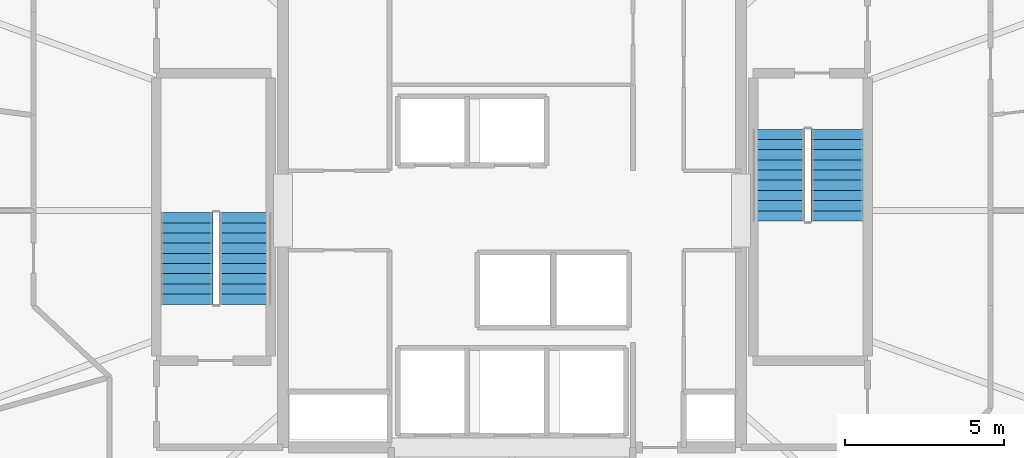
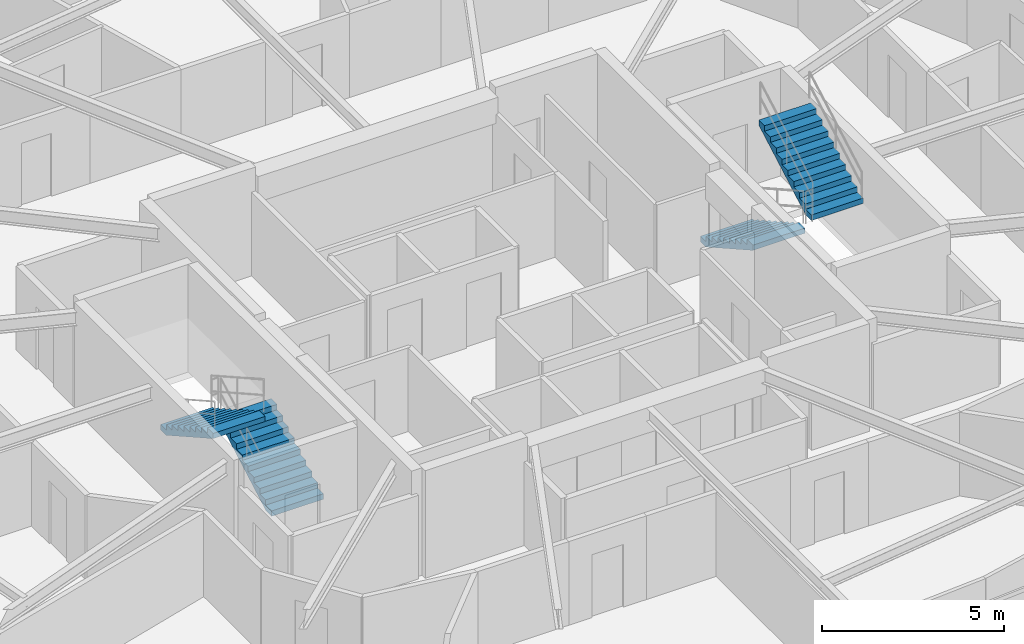
# One storey, part 16 of 17: 4 stair flights, 2 elements without a shape of their own.
"""IFC4 building model written with IfcOpenShell, lengths in metres."""

from ifc_helpers import new_model, si_unit, direction, frame, origin, place, context, subcontext, project, spatial, polyline, outline, extrude, material, type_object, element, aggregate, save


model = new_model("IFC4")

# Units and contexts
model_context = context("Model", 3, precision=1e-05, world=origin(), true_north=direction((0.0, 1.0)))
body_context = subcontext(model_context, "Body", "Model", "MODEL_VIEW")
ifc_project = project(units=[si_unit("LENGTHUNIT", "METRE"), si_unit("AREAUNIT", "SQUARE_METRE"), si_unit("VOLUMEUNIT", "CUBIC_METRE"), si_unit("PLANEANGLEUNIT", "RADIAN"), si_unit("MASSUNIT", "GRAM", prefix="KILO")], contexts=[model_context])

# Site, building, storey
site_placement = place(None, origin())
site = spatial("IfcSite", under=ifc_project, at=site_placement, CompositionType="ELEMENT")
building_placement = place(site_placement, origin())
building = spatial("IfcBuilding", under=site, at=building_placement, Name="Veldorina Hangang Commons", CompositionType="ELEMENT")
storey_placement = place(building_placement, frame((0.0, 0.0, 196.39990234375)))
storey = spatial("IfcBuildingStorey", under=building, at=storey_placement, Name="L51", CompositionType="ELEMENT", Elevation=196.39990234375)

# Stair, stair flights
ifc_material = material(Name="Concrete C40/50", Category="concrete")
stair_type = type_object("IfcStairType", Name="STR-DOG-1650-20R", PredefinedType="HALF_TURN_STAIR", material=ifc_material)
stair_1_placement = place(storey_placement, origin())
stair_1 = element("IfcStair", 1, at=stair_1_placement, inside=storey, type_object=stair_type, Name="L51 Exit stair ST-1", PredefinedType="HALF_TURN_STAIR")
stair_flight_type = type_object("IfcStairFlightType", Name="SFL-STR-1650-20R", PredefinedType="STRAIGHT", material=ifc_material)
stair_flight_1_placement = place(storey_placement, frame((23.625, 21.050048828125, 0.0), z_axis=(0.0, 0.0, 1.0), x_axis=(0.0, 1.0, 0.0)))
stair_flight_1 = element("IfcStairFlight", 2, at=stair_flight_1_placement, type_object=stair_flight_type, Name="ST-1 flight 1", NumberOfRisers=10, NumberOfTreads=9, PredefinedType="STRAIGHT", RiserHeight=0.18, TreadLength=0.32, context=body_context, shape_type="SweptSolid", body=[
    extrude(outline(polyline([(0.0, 0.0), (0.0, 0.179931640625), (0.320068359375, 0.179931640625), (0.320068359375, 0.360107421875), (0.639892578125, 0.360107421875), (0.639892578125, 0.5400390625), (0.9599609375, 0.5400390625), (0.9599609375, 0.719970703125), (1.280029296875, 0.719970703125), (1.280029296875, 0.89990234375), (1.60009765625, 0.89990234375), (1.60009765625, 1.080078125), (1.919921875, 1.080078125), (1.919921875, 1.260009765625), (2.239990234375, 1.260009765625), (2.239990234375, 1.43994140625), (2.56005859375, 1.43994140625), (2.56005859375, 1.6201171875), (2.8798828125, 1.6201171875), (2.8798828125, 1.800048828125), (2.8798828125, 1.447998046875), (0.3056640625, 0.0), (0.0, 0.0)])), frame((0.0, 0.824951171875, 0.0), z_axis=(0.0, -1.0, 0.0), x_axis=(1.0, 0.0, 0.0)), (0.0, 0.0, 1.0), 1.64990234375),
])
stair_flight_2_placement = place(storey_placement, frame((21.77490234375, 23.929931640625, 1.800048828125), z_axis=(0.0, 0.0, 1.0), x_axis=(0.0, -1.0, 0.0)))
stair_flight_2 = element("IfcStairFlight", 3, at=stair_flight_2_placement, type_object=stair_flight_type, Name="ST-1 flight 2", NumberOfRisers=10, NumberOfTreads=9, PredefinedType="STRAIGHT", RiserHeight=0.18, TreadLength=0.32, context=body_context, shape_type="SweptSolid", body=[
    extrude(outline(polyline([(0.0, 0.0), (0.0, 0.179931640625), (0.320068359375, 0.179931640625), (0.320068359375, 0.360107421875), (0.639892578125, 0.360107421875), (0.639892578125, 0.5400390625), (0.9599609375, 0.5400390625), (0.9599609375, 0.719970703125), (1.280029296875, 0.719970703125), (1.280029296875, 0.89990234375), (1.60009765625, 0.89990234375), (1.60009765625, 1.080078125), (1.919921875, 1.080078125), (1.919921875, 1.260009765625), (2.239990234375, 1.260009765625), (2.239990234375, 1.43994140625), (2.56005859375, 1.43994140625), (2.56005859375, 1.6201171875), (2.8798828125, 1.6201171875), (2.8798828125, 1.800048828125), (2.8798828125, 1.447998046875), (0.3056640625, 0.0), (0.0, 0.0)])), frame((0.0, 0.824951171875, 0.0), z_axis=(0.0, -1.0, 0.0), x_axis=(1.0, 0.0, 0.0)), (0.0, 0.0, 1.0), 1.64990234375),
])
aggregate(stair_1, [stair_flight_1, stair_flight_2])

stair_2_placement = place(storey_placement, origin())
stair_2 = element("IfcStair", 4, at=stair_2_placement, inside=storey, type_object=stair_type, Name="L51 Exit stair ST-2", PredefinedType="HALF_TURN_STAIR")
stair_flight_3_placement = place(storey_placement, frame((40.375, 26.550048828125, 0.0), z_axis=(0.0, 0.0, 1.0), x_axis=(0.0, -1.0, 0.0)))
stair_flight_3 = element("IfcStairFlight", 5, at=stair_flight_3_placement, type_object=stair_flight_type, Name="ST-2 flight 1", NumberOfRisers=10, NumberOfTreads=9, PredefinedType="STRAIGHT", RiserHeight=0.18, TreadLength=0.32, context=body_context, shape_type="SweptSolid", body=[
    extrude(outline(polyline([(0.0, 0.0), (0.0, 0.179931640625), (0.320068359375, 0.179931640625), (0.320068359375, 0.360107421875), (0.639892578125, 0.360107421875), (0.639892578125, 0.5400390625), (0.9599609375, 0.5400390625), (0.9599609375, 0.719970703125), (1.280029296875, 0.719970703125), (1.280029296875, 0.89990234375), (1.60009765625, 0.89990234375), (1.60009765625, 1.080078125), (1.919921875, 1.080078125), (1.919921875, 1.260009765625), (2.239990234375, 1.260009765625), (2.239990234375, 1.43994140625), (2.56005859375, 1.43994140625), (2.56005859375, 1.6201171875), (2.8798828125, 1.6201171875), (2.8798828125, 1.800048828125), (2.8798828125, 1.447998046875), (0.3056640625, 0.0), (0.0, 0.0)])), frame((0.0, 0.824951171875, 0.0), z_axis=(0.0, -1.0, 0.0), x_axis=(1.0, 0.0, 0.0)), (0.0, 0.0, 1.0), 1.64990234375),
])
stair_flight_4_placement = place(storey_placement, frame((42.22509765625, 23.669921875, 1.800048828125), z_axis=(0.0, 0.0, 1.0), x_axis=(0.0, 1.0, 0.0)))
stair_flight_4 = element("IfcStairFlight", 6, at=stair_flight_4_placement, type_object=stair_flight_type, Name="ST-2 flight 2", NumberOfRisers=10, NumberOfTreads=9, PredefinedType="STRAIGHT", RiserHeight=0.18, TreadLength=0.32, context=body_context, shape_type="SweptSolid", body=[
    extrude(outline(polyline([(0.0, 0.0), (0.0, 0.179931640625), (0.320068359375, 0.179931640625), (0.320068359375, 0.360107421875), (0.639892578125, 0.360107421875), (0.639892578125, 0.5400390625), (0.9599609375, 0.5400390625), (0.9599609375, 0.719970703125), (1.280029296875, 0.719970703125), (1.280029296875, 0.89990234375), (1.60009765625, 0.89990234375), (1.60009765625, 1.080078125), (1.919921875, 1.080078125), (1.919921875, 1.260009765625), (2.239990234375, 1.260009765625), (2.239990234375, 1.43994140625), (2.56005859375, 1.43994140625), (2.56005859375, 1.6201171875), (2.8798828125, 1.6201171875), (2.8798828125, 1.800048828125), (2.8798828125, 1.447998046875), (0.3056640625, 0.0), (0.0, 0.0)])), frame((0.0, 0.824951171875, 0.0), z_axis=(0.0, -1.0, 0.0), x_axis=(1.0, 0.0, 0.0)), (0.0, 0.0, 1.0), 1.64990234375),
])
aggregate(stair_2, [stair_flight_3, stair_flight_4])

save(model, "model.ifc")
